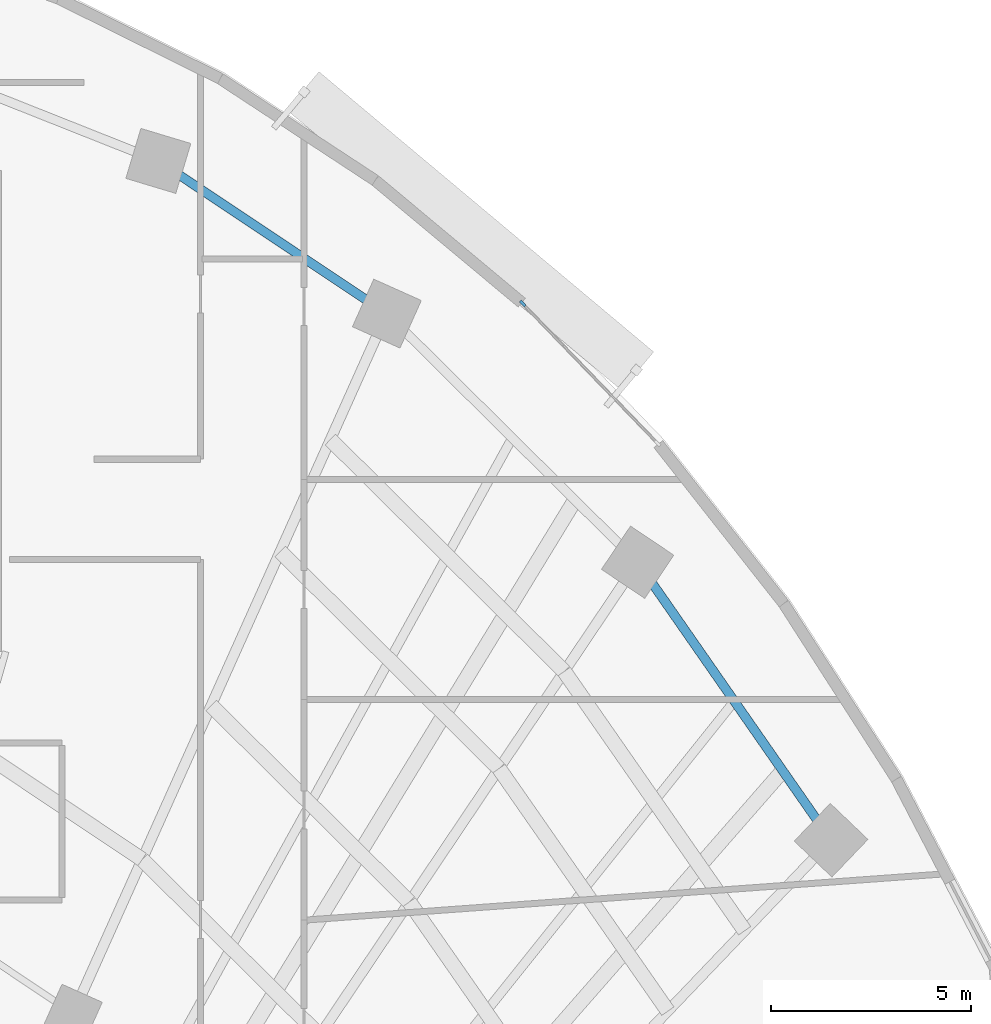
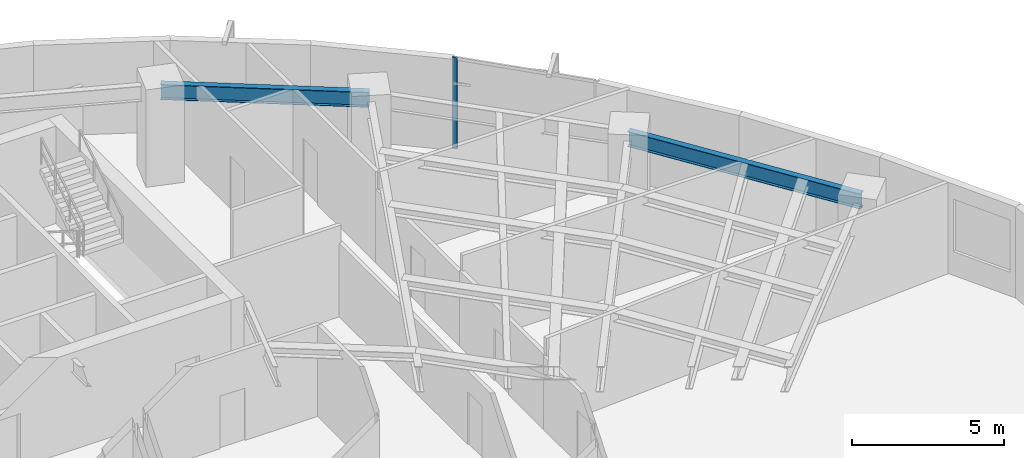
# One storey, part 6 of 14: 2 beams, 1 member, 1 element without a shape of its own.
"""IFC4 building model written with IfcOpenShell, lengths in metres."""

from ifc_helpers import new_model, si_unit, direction, frame, origin, origin_2d, place, context, subcontext, project, spatial, rectangle, i_section, extrude, source, transform, mapped, material, layer, layer_set, material_profile, profile_set, type_object, element, aggregate, save


model = new_model("IFC4")

# Units and contexts
model_context = context("Model", 3, precision=1e-05, world=origin(), true_north=direction((0.0, 1.0)))
body_context = subcontext(model_context, "Body", "Model", "MODEL_VIEW")
ifc_project = project(units=[si_unit("LENGTHUNIT", "METRE"), si_unit("AREAUNIT", "SQUARE_METRE"), si_unit("VOLUMEUNIT", "CUBIC_METRE"), si_unit("PLANEANGLEUNIT", "RADIAN"), si_unit("MASSUNIT", "GRAM", prefix="KILO")], contexts=[model_context])

# Site, building, storey
site_placement = place(None, origin())
site = spatial("IfcSite", under=ifc_project, at=site_placement, CompositionType="ELEMENT")
building_placement = place(site_placement, origin())
building = spatial("IfcBuilding", under=site, at=building_placement, Name="Breltana Convention Tower", CompositionType="ELEMENT")
storey_placement = place(building_placement, frame((0.0, 0.0, 103.800048828125)))
storey = spatial("IfcBuildingStorey", under=building, at=storey_placement, Name="L24", CompositionType="ELEMENT", Elevation=103.800048828125)

# Beams
ifc_material_1 = material(Name="Steel ASTM A992 Grade 50", Category="steel")
ifc_material_profile_1 = material_profile(ifc_material_1, i_section(OverallWidth=0.22802734375, OverallDepth=0.60791015625, WebThickness=0.01123046875, FlangeThickness=0.017333984375, at=origin_2d()), Name="W24X76")
ifc_profile_set_1 = profile_set([ifc_material_profile_1], Name="Steel ASTM A992 Grade 50")
beam_type = type_object("IfcBeamType", Name="BM-SP-W24X76", PredefinedType="SPANDREL", material=ifc_profile_set_1)
shared_shape_1 = source(origin(), body_context, "Body", "SweptSolid", [
    extrude(i_section(OverallWidth=0.22802734375, OverallDepth=0.60791015625, WebThickness=0.01123046875, FlangeThickness=0.017333984375, at=origin_2d()), origin(), (0.0, 0.0, 1.0), 6.856689453125),
])
beam_1_placement = place(storey_placement, frame((63.208984375, 72.4423828125, 3.345947265625), z_axis=(0.83150210718, -0.55552159792, 0.0), x_axis=(0.55552159792, 0.83150210718, 0.0)))
element("IfcBeam", 1, at=beam_1_placement, inside=storey, type_object=beam_type, Name="L24 Outer Spandrel Beam 08", PredefinedType="SPANDREL", context=body_context, shape_type="MappedRepresentation", body=[
    mapped(shared_shape_1, transform((0.0, 0.0, 0.0), scale=1.0)),
])
shared_shape_2 = source(origin(), body_context, "Body", "SweptSolid", [
    extrude(i_section(OverallWidth=0.22802734375, OverallDepth=0.60791015625, WebThickness=0.01123046875, FlangeThickness=0.017333984375, at=origin_2d()), origin(), (0.0, 0.0, 1.0), 8.44970703125),
])
beam_2_placement = place(storey_placement, frame((75.166748046875, 62.43017578125, 3.345947265625), z_axis=(0.5711855381, -0.820820979913, 0.0), x_axis=(0.820820979913, 0.5711855381, 0.0)))
element("IfcBeam", 2, at=beam_2_placement, inside=storey, type_object=beam_type, Name="L24 Outer Spandrel Beam 10", PredefinedType="SPANDREL", context=body_context, shape_type="MappedRepresentation", body=[
    mapped(shared_shape_2, transform((0.0, 0.0, 0.0), scale=1.0)),
])

# Curtain wall, member
ifc_material_2 = material(Name="Aluminium Anodised Bronze Frame", Category="aluminium")
ifc_layer = layer(ifc_material_2, 0.22998046875, Name="Aluminium Anodised Bronze Frame")
ifc_layer_set = layer_set([ifc_layer], Name="Aluminium Anodised Bronze Frame")
curtain_wall_type = type_object("IfcCurtainWallType", Name="CW-SYS-5", PredefinedType="NOTDEFINED", material=ifc_layer_set)
curtain_wall_placement = place(storey_placement, origin())
curtain_wall = element("IfcCurtainWall", 3, at=curtain_wall_placement, inside=storey, type_object=curtain_wall_type, Name="L24 outer double-skin inner glazing 4", PredefinedType="NOTDEFINED")
ifc_material_3 = material(Name="Aluminium Anodised Bronze", Category="aluminium")
ifc_material_profile_2 = material_profile(ifc_material_3, rectangle(XDim=0.070068359375, YDim=0.175048828125, at=origin_2d()), Name="CWM-70X175")
ifc_profile_set_2 = profile_set([ifc_material_profile_2], Name="Aluminium Anodised Bronze")
member_type = type_object("IfcMemberType", Name="CWM-175", PredefinedType="MULLION", material=ifc_profile_set_2)
shared_shape_3 = source(origin(), body_context, "Body", "SweptSolid", [
    extrude(rectangle(XDim=0.070068359375, YDim=0.175048828125, at=origin_2d()), origin(), (0.0, 0.0, 1.0), 3.64990234375),
])
member_placement = place(storey_placement, frame((72.299560546875, 68.88232421875, 0.0), z_axis=(0.0, 0.0, 1.0), x_axis=(0.719384961558, 0.694611601605, 0.0)))
member = element("IfcMember", 4, at=member_placement, type_object=member_type, Name="CW-05 mullion 1", PredefinedType="MULLION", context=body_context, shape_type="MappedRepresentation", body=[
    mapped(shared_shape_3, transform((0.0, 0.0, 0.0), scale=1.0)),
])
aggregate(curtain_wall, [member])

save(model, "model.ifc")
